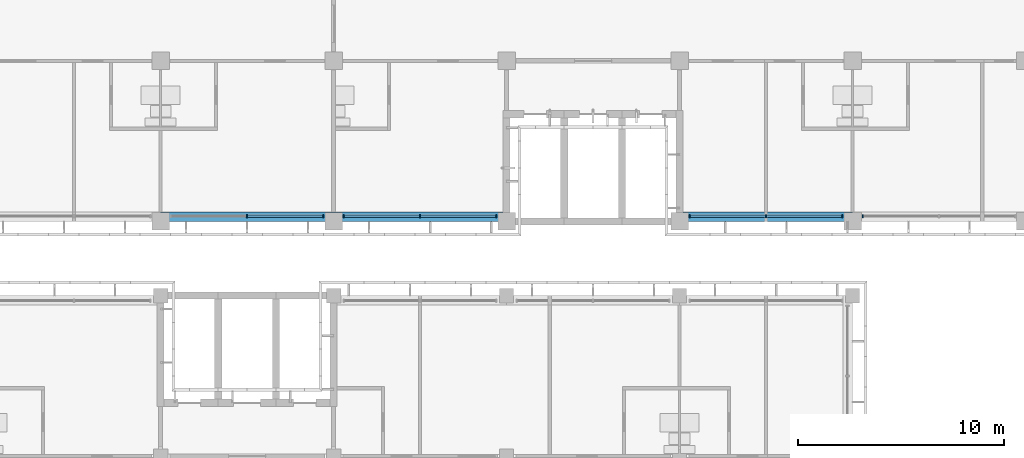
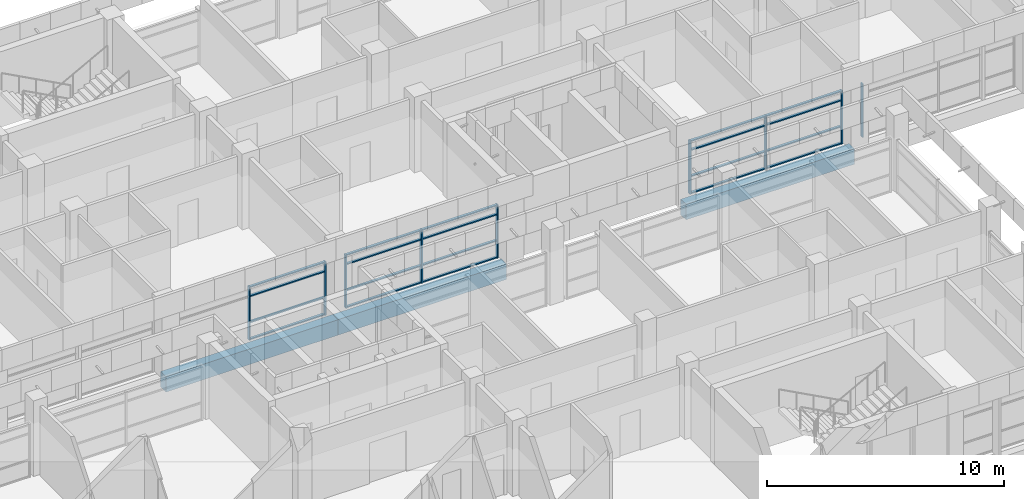
# One storey, part 13 of 74: 29 members, 3 beams, 4 elements without a shape of their own.
"""IFC4 building model written with IfcOpenShell, lengths in metres."""

from ifc_helpers import new_model, si_unit, direction, frame, origin, origin_2d, place, context, subcontext, project, spatial, rectangle, extrude, material, material_profile, profile_set, type_object, element, aggregate, save


model = new_model("IFC4")

# Units and contexts
model_context = context("Model", 3, precision=1e-05, world=origin(), true_north=direction((0.0, 1.0)))
body_context = subcontext(model_context, "Body", "Model", "MODEL_VIEW")
ifc_project = project(units=[si_unit("LENGTHUNIT", "METRE"), si_unit("AREAUNIT", "SQUARE_METRE"), si_unit("VOLUMEUNIT", "CUBIC_METRE"), si_unit("PLANEANGLEUNIT", "RADIAN"), si_unit("MASSUNIT", "GRAM", prefix="KILO")], contexts=[model_context])

# Site, building, storey
site_placement = place(None, origin())
site = spatial("IfcSite", under=ifc_project, at=site_placement, CompositionType="ELEMENT")
building_placement = place(site_placement, origin())
building = spatial("IfcBuilding", under=site, at=building_placement, Name="Bougainvillea Quay General Hospital", CompositionType="ELEMENT")
storey_placement = place(building_placement, frame((0.0, 0.0, 21.0)))
storey = spatial("IfcBuildingStorey", under=building, at=storey_placement, Name="L04", CompositionType="ELEMENT", Elevation=21.0)

# Curtain wall, members
ifc_material_1 = material(Name="Aluminium curtain wall system, powder-coated glazed", Category="aluminium")
curtain_wall_type = type_object("IfcCurtainWallType", Name="Unitised curtain wall CW-3730", PredefinedType="NOTDEFINED", material=ifc_material_1)
curtain_wall_1_placement = place(storey_placement, origin())
curtain_wall_1 = element("IfcCurtainWall", 1, at=curtain_wall_1_placement, inside=storey, type_object=curtain_wall_type, Name="CW-4200 07", PredefinedType="NOTDEFINED")
ifc_material_2 = material(Name="Aluminium mullion, powder-coated charcoal", Category="aluminium")
ifc_material_profile_1 = material_profile(ifc_material_2, rectangle(XDim=0.159912109375, YDim=0.06005859375, at=origin_2d()))
ifc_profile_set_1 = profile_set([ifc_material_profile_1], Name="Aluminium mullion, powder-coated charcoal")
member_type_1 = type_object("IfcMemberType", Name="Curtain wall mullion 160x60", PredefinedType="MULLION", material=ifc_profile_set_1)
member_1_placement = place(storey_placement, frame((138.60009765625, 140.64990234375, 0.0), z_axis=(0.0, 0.0, 1.0), x_axis=(0.0, 1.0, 0.0)))
member_1 = element("IfcMember", 2, at=member_1_placement, type_object=member_type_1, Name="CW-4200 mullion 2", PredefinedType="MULLION", context=body_context, shape_type="SweptSolid", body=[
    extrude(rectangle(XDim=0.159912109375, YDim=0.06005859375, at=origin_2d()), origin(), (0.0, 0.0, 1.0), 2.75),
])
member_2_placement = place(storey_placement, frame((142.300048828125, 140.64990234375, 0.0), z_axis=(0.0, 0.0, 1.0), x_axis=(0.0, 1.0, 0.0)))
member_2 = element("IfcMember", 3, at=member_2_placement, type_object=member_type_1, Name="CW-4200 mullion 3", PredefinedType="MULLION", context=body_context, shape_type="SweptSolid", body=[
    extrude(rectangle(XDim=0.159912109375, YDim=0.06005859375, at=origin_2d()), origin(), (0.0, 0.0, 1.0), 2.75),
])

curtain_wall_2_placement = place(storey_placement, origin())
curtain_wall_2 = element("IfcCurtainWall", 4, at=curtain_wall_2_placement, inside=storey, type_object=curtain_wall_type, Name="CW-4200 08", PredefinedType="NOTDEFINED")
member_3_placement = place(storey_placement, frame((143.300048828125, 140.64990234375, 0.0), z_axis=(0.0, 0.0, 1.0), x_axis=(0.0, 1.0, 0.0)))
member_3 = element("IfcMember", 5, at=member_3_placement, type_object=member_type_1, Name="CW-4200 mullion 1", PredefinedType="MULLION", context=body_context, shape_type="SweptSolid", body=[
    extrude(rectangle(XDim=0.159912109375, YDim=0.06005859375, at=origin_2d()), origin(), (0.0, 0.0, 1.0), 2.75),
])
member_4_placement = place(storey_placement, frame((147.0, 140.64990234375, 0.0), z_axis=(0.0, 0.0, 1.0), x_axis=(0.0, 1.0, 0.0)))
member_4 = element("IfcMember", 6, at=member_4_placement, type_object=member_type_1, Name="CW-4200 mullion 2", PredefinedType="MULLION", context=body_context, shape_type="SweptSolid", body=[
    extrude(rectangle(XDim=0.159912109375, YDim=0.06005859375, at=origin_2d()), origin(), (0.0, 0.0, 1.0), 2.75),
])
member_5_placement = place(storey_placement, frame((150.699951171875, 140.64990234375, 0.0), z_axis=(0.0, 0.0, 1.0), x_axis=(0.0, 1.0, 0.0)))
member_5 = element("IfcMember", 7, at=member_5_placement, type_object=member_type_1, Name="CW-4200 mullion 3", PredefinedType="MULLION", context=body_context, shape_type="SweptSolid", body=[
    extrude(rectangle(XDim=0.159912109375, YDim=0.06005859375, at=origin_2d()), origin(), (0.0, 0.0, 1.0), 2.75),
])

curtain_wall_3_placement = place(storey_placement, origin())
curtain_wall_3 = element("IfcCurtainWall", 8, at=curtain_wall_3_placement, inside=storey, type_object=curtain_wall_type, Name="CW-4200 00", PredefinedType="NOTDEFINED")
member_6_placement = place(storey_placement, frame((160.10009765625, 140.64990234375, 0.0), z_axis=(0.0, 0.0, 1.0), x_axis=(0.0, 1.0, 0.0)))
member_6 = element("IfcMember", 9, at=member_6_placement, type_object=member_type_1, Name="CW-4200 mullion 1", PredefinedType="MULLION", context=body_context, shape_type="SweptSolid", body=[
    extrude(rectangle(XDim=0.159912109375, YDim=0.06005859375, at=origin_2d()), origin(), (0.0, 0.0, 1.0), 2.75),
])
member_7_placement = place(storey_placement, frame((163.800048828125, 140.64990234375, 0.0), z_axis=(0.0, 0.0, 1.0), x_axis=(0.0, 1.0, 0.0)))
member_7 = element("IfcMember", 10, at=member_7_placement, type_object=member_type_1, Name="CW-4200 mullion 2", PredefinedType="MULLION", context=body_context, shape_type="SweptSolid", body=[
    extrude(rectangle(XDim=0.159912109375, YDim=0.06005859375, at=origin_2d()), origin(), (0.0, 0.0, 1.0), 2.75),
])
member_8_placement = place(storey_placement, frame((167.5, 140.64990234375, 0.0), z_axis=(0.0, 0.0, 1.0), x_axis=(0.0, 1.0, 0.0)))
member_8 = element("IfcMember", 11, at=member_8_placement, type_object=member_type_1, Name="CW-4200 mullion 3", PredefinedType="MULLION", context=body_context, shape_type="SweptSolid", body=[
    extrude(rectangle(XDim=0.159912109375, YDim=0.06005859375, at=origin_2d()), origin(), (0.0, 0.0, 1.0), 2.75),
])

# Curtain wall, member
curtain_wall_4_placement = place(storey_placement, origin())
curtain_wall_4 = element("IfcCurtainWall", 12, at=curtain_wall_4_placement, inside=storey, type_object=curtain_wall_type, Name="CW-4200 01", PredefinedType="NOTDEFINED")
member_9_placement = place(storey_placement, frame((168.5, 140.64990234375, 0.0), z_axis=(0.0, 0.0, 1.0), x_axis=(0.0, 1.0, 0.0)))
member_9 = element("IfcMember", 13, at=member_9_placement, type_object=member_type_1, Name="CW-4200 mullion 1", PredefinedType="MULLION", context=body_context, shape_type="SweptSolid", body=[
    extrude(rectangle(XDim=0.159912109375, YDim=0.06005859375, at=origin_2d()), origin(), (0.0, 0.0, 1.0), 2.75),
])
aggregate(curtain_wall_4, [member_9])

# Member
ifc_material_3 = material(Name="Aluminium transom, powder-coated charcoal", Category="aluminium")
ifc_material_profile_2 = material_profile(ifc_material_3, rectangle(XDim=0.1201171875, YDim=0.06005859375, at=origin_2d()))
ifc_profile_set_2 = profile_set([ifc_material_profile_2], Name="Aluminium transom, powder-coated charcoal")
member_type_2 = type_object("IfcMemberType", Name="Curtain wall transom 120x60", PredefinedType="USERDEFINED", material=ifc_profile_set_2)
member_10_placement = place(storey_placement, frame((138.6298828125, 140.64990234375, 0.030029296875), z_axis=(1.0, 0.0, 0.0), x_axis=(0.0, 1.0, 0.0)))
member_10 = element("IfcMember", 14, at=member_10_placement, type_object=member_type_2, Name="CW-4200 transom 2.1", ObjectType="TRANSOM", PredefinedType="USERDEFINED", context=body_context, shape_type="SweptSolid", body=[
    extrude(rectangle(XDim=0.1201171875, YDim=0.06005859375, at=origin_2d()), origin(), (0.0, 0.0, 1.0), 3.64013671875),
])

member_11_placement = place(storey_placement, frame((138.6298828125, 140.64990234375, 0.89990234375), z_axis=(1.0, 0.0, 0.0), x_axis=(0.0, 1.0, 0.0)))
member_11 = element("IfcMember", 15, at=member_11_placement, type_object=member_type_2, Name="CW-4200 transom 2.2", ObjectType="TRANSOM", PredefinedType="USERDEFINED", context=body_context, shape_type="SweptSolid", body=[
    extrude(rectangle(XDim=0.1201171875, YDim=0.06005859375, at=origin_2d()), origin(), (0.0, 0.0, 1.0), 3.64013671875),
])

member_12_placement = place(storey_placement, frame((138.6298828125, 140.64990234375, 2.25), z_axis=(1.0, 0.0, 0.0), x_axis=(0.0, 1.0, 0.0)))
member_12 = element("IfcMember", 16, at=member_12_placement, type_object=member_type_2, Name="CW-4200 transom 2.3", ObjectType="TRANSOM", PredefinedType="USERDEFINED", context=body_context, shape_type="SweptSolid", body=[
    extrude(rectangle(XDim=0.1201171875, YDim=0.06005859375, at=origin_2d()), origin(), (0.0, 0.0, 1.0), 3.64013671875),
])

member_13_placement = place(storey_placement, frame((138.6298828125, 140.64990234375, 2.719970703125), z_axis=(1.0, 0.0, 0.0), x_axis=(0.0, 1.0, 0.0)))
member_13 = element("IfcMember", 17, at=member_13_placement, type_object=member_type_2, Name="CW-4200 transom 2.4", ObjectType="TRANSOM", PredefinedType="USERDEFINED", context=body_context, shape_type="SweptSolid", body=[
    extrude(rectangle(XDim=0.1201171875, YDim=0.06005859375, at=origin_2d()), origin(), (0.0, 0.0, 1.0), 3.64013671875),
])

aggregate(curtain_wall_1, [member_1, member_2, member_10, member_11, member_12, member_13])

member_14_placement = place(storey_placement, frame((143.330078125, 140.64990234375, 0.030029296875), z_axis=(1.0, 0.0, 0.0), x_axis=(0.0, 1.0, 0.0)))
member_14 = element("IfcMember", 18, at=member_14_placement, type_object=member_type_2, Name="CW-4200 transom 1.1", ObjectType="TRANSOM", PredefinedType="USERDEFINED", context=body_context, shape_type="SweptSolid", body=[
    extrude(rectangle(XDim=0.1201171875, YDim=0.06005859375, at=origin_2d()), origin(), (0.0, 0.0, 1.0), 3.639892578125),
])

member_15_placement = place(storey_placement, frame((143.330078125, 140.64990234375, 0.89990234375), z_axis=(1.0, 0.0, 0.0), x_axis=(0.0, 1.0, 0.0)))
member_15 = element("IfcMember", 19, at=member_15_placement, type_object=member_type_2, Name="CW-4200 transom 1.2", ObjectType="TRANSOM", PredefinedType="USERDEFINED", context=body_context, shape_type="SweptSolid", body=[
    extrude(rectangle(XDim=0.1201171875, YDim=0.06005859375, at=origin_2d()), origin(), (0.0, 0.0, 1.0), 3.639892578125),
])

member_16_placement = place(storey_placement, frame((143.330078125, 140.64990234375, 2.25), z_axis=(1.0, 0.0, 0.0), x_axis=(0.0, 1.0, 0.0)))
member_16 = element("IfcMember", 20, at=member_16_placement, type_object=member_type_2, Name="CW-4200 transom 1.3", ObjectType="TRANSOM", PredefinedType="USERDEFINED", context=body_context, shape_type="SweptSolid", body=[
    extrude(rectangle(XDim=0.1201171875, YDim=0.06005859375, at=origin_2d()), origin(), (0.0, 0.0, 1.0), 3.639892578125),
])

member_17_placement = place(storey_placement, frame((143.330078125, 140.64990234375, 2.719970703125), z_axis=(1.0, 0.0, 0.0), x_axis=(0.0, 1.0, 0.0)))
member_17 = element("IfcMember", 21, at=member_17_placement, type_object=member_type_2, Name="CW-4200 transom 1.4", ObjectType="TRANSOM", PredefinedType="USERDEFINED", context=body_context, shape_type="SweptSolid", body=[
    extrude(rectangle(XDim=0.1201171875, YDim=0.06005859375, at=origin_2d()), origin(), (0.0, 0.0, 1.0), 3.639892578125),
])

member_18_placement = place(storey_placement, frame((147.030029296875, 140.64990234375, 0.030029296875), z_axis=(1.0, 0.0, 0.0), x_axis=(0.0, 1.0, 0.0)))
member_18 = element("IfcMember", 22, at=member_18_placement, type_object=member_type_2, Name="CW-4200 transom 2.1", ObjectType="TRANSOM", PredefinedType="USERDEFINED", context=body_context, shape_type="SweptSolid", body=[
    extrude(rectangle(XDim=0.1201171875, YDim=0.06005859375, at=origin_2d()), origin(), (0.0, 0.0, 1.0), 3.639892578125),
])

member_19_placement = place(storey_placement, frame((147.030029296875, 140.64990234375, 0.89990234375), z_axis=(1.0, 0.0, 0.0), x_axis=(0.0, 1.0, 0.0)))
member_19 = element("IfcMember", 23, at=member_19_placement, type_object=member_type_2, Name="CW-4200 transom 2.2", ObjectType="TRANSOM", PredefinedType="USERDEFINED", context=body_context, shape_type="SweptSolid", body=[
    extrude(rectangle(XDim=0.1201171875, YDim=0.06005859375, at=origin_2d()), origin(), (0.0, 0.0, 1.0), 3.639892578125),
])

member_20_placement = place(storey_placement, frame((147.030029296875, 140.64990234375, 2.25), z_axis=(1.0, 0.0, 0.0), x_axis=(0.0, 1.0, 0.0)))
member_20 = element("IfcMember", 24, at=member_20_placement, type_object=member_type_2, Name="CW-4200 transom 2.3", ObjectType="TRANSOM", PredefinedType="USERDEFINED", context=body_context, shape_type="SweptSolid", body=[
    extrude(rectangle(XDim=0.1201171875, YDim=0.06005859375, at=origin_2d()), origin(), (0.0, 0.0, 1.0), 3.639892578125),
])

member_21_placement = place(storey_placement, frame((147.030029296875, 140.64990234375, 2.719970703125), z_axis=(1.0, 0.0, 0.0), x_axis=(0.0, 1.0, 0.0)))
member_21 = element("IfcMember", 25, at=member_21_placement, type_object=member_type_2, Name="CW-4200 transom 2.4", ObjectType="TRANSOM", PredefinedType="USERDEFINED", context=body_context, shape_type="SweptSolid", body=[
    extrude(rectangle(XDim=0.1201171875, YDim=0.06005859375, at=origin_2d()), origin(), (0.0, 0.0, 1.0), 3.639892578125),
])

aggregate(curtain_wall_2, [member_3, member_4, member_5, member_14, member_15, member_16, member_17, member_18, member_19, member_20, member_21])

member_22_placement = place(storey_placement, frame((160.1298828125, 140.64990234375, 0.030029296875), z_axis=(1.0, 0.0, 0.0), x_axis=(0.0, 1.0, 0.0)))
member_22 = element("IfcMember", 26, at=member_22_placement, type_object=member_type_2, Name="CW-4200 transom 1.1", ObjectType="TRANSOM", PredefinedType="USERDEFINED", context=body_context, shape_type="SweptSolid", body=[
    extrude(rectangle(XDim=0.1201171875, YDim=0.06005859375, at=origin_2d()), origin(), (0.0, 0.0, 1.0), 3.64013671875),
])

member_23_placement = place(storey_placement, frame((160.1298828125, 140.64990234375, 0.89990234375), z_axis=(1.0, 0.0, 0.0), x_axis=(0.0, 1.0, 0.0)))
member_23 = element("IfcMember", 27, at=member_23_placement, type_object=member_type_2, Name="CW-4200 transom 1.2", ObjectType="TRANSOM", PredefinedType="USERDEFINED", context=body_context, shape_type="SweptSolid", body=[
    extrude(rectangle(XDim=0.1201171875, YDim=0.06005859375, at=origin_2d()), origin(), (0.0, 0.0, 1.0), 3.64013671875),
])

member_24_placement = place(storey_placement, frame((160.1298828125, 140.64990234375, 2.25), z_axis=(1.0, 0.0, 0.0), x_axis=(0.0, 1.0, 0.0)))
member_24 = element("IfcMember", 28, at=member_24_placement, type_object=member_type_2, Name="CW-4200 transom 1.3", ObjectType="TRANSOM", PredefinedType="USERDEFINED", context=body_context, shape_type="SweptSolid", body=[
    extrude(rectangle(XDim=0.1201171875, YDim=0.06005859375, at=origin_2d()), origin(), (0.0, 0.0, 1.0), 3.64013671875),
])

member_25_placement = place(storey_placement, frame((160.1298828125, 140.64990234375, 2.719970703125), z_axis=(1.0, 0.0, 0.0), x_axis=(0.0, 1.0, 0.0)))
member_25 = element("IfcMember", 29, at=member_25_placement, type_object=member_type_2, Name="CW-4200 transom 1.4", ObjectType="TRANSOM", PredefinedType="USERDEFINED", context=body_context, shape_type="SweptSolid", body=[
    extrude(rectangle(XDim=0.1201171875, YDim=0.06005859375, at=origin_2d()), origin(), (0.0, 0.0, 1.0), 3.64013671875),
])

member_26_placement = place(storey_placement, frame((163.830078125, 140.64990234375, 0.030029296875), z_axis=(1.0, 0.0, 0.0), x_axis=(0.0, 1.0, 0.0)))
member_26 = element("IfcMember", 30, at=member_26_placement, type_object=member_type_2, Name="CW-4200 transom 2.1", ObjectType="TRANSOM", PredefinedType="USERDEFINED", context=body_context, shape_type="SweptSolid", body=[
    extrude(rectangle(XDim=0.1201171875, YDim=0.06005859375, at=origin_2d()), origin(), (0.0, 0.0, 1.0), 3.639892578125),
])

member_27_placement = place(storey_placement, frame((163.830078125, 140.64990234375, 0.89990234375), z_axis=(1.0, 0.0, 0.0), x_axis=(0.0, 1.0, 0.0)))
member_27 = element("IfcMember", 31, at=member_27_placement, type_object=member_type_2, Name="CW-4200 transom 2.2", ObjectType="TRANSOM", PredefinedType="USERDEFINED", context=body_context, shape_type="SweptSolid", body=[
    extrude(rectangle(XDim=0.1201171875, YDim=0.06005859375, at=origin_2d()), origin(), (0.0, 0.0, 1.0), 3.639892578125),
])

member_28_placement = place(storey_placement, frame((163.830078125, 140.64990234375, 2.25), z_axis=(1.0, 0.0, 0.0), x_axis=(0.0, 1.0, 0.0)))
member_28 = element("IfcMember", 32, at=member_28_placement, type_object=member_type_2, Name="CW-4200 transom 2.3", ObjectType="TRANSOM", PredefinedType="USERDEFINED", context=body_context, shape_type="SweptSolid", body=[
    extrude(rectangle(XDim=0.1201171875, YDim=0.06005859375, at=origin_2d()), origin(), (0.0, 0.0, 1.0), 3.639892578125),
])

member_29_placement = place(storey_placement, frame((163.830078125, 140.64990234375, 2.719970703125), z_axis=(1.0, 0.0, 0.0), x_axis=(0.0, 1.0, 0.0)))
member_29 = element("IfcMember", 33, at=member_29_placement, type_object=member_type_2, Name="CW-4200 transom 2.4", ObjectType="TRANSOM", PredefinedType="USERDEFINED", context=body_context, shape_type="SweptSolid", body=[
    extrude(rectangle(XDim=0.1201171875, YDim=0.06005859375, at=origin_2d()), origin(), (0.0, 0.0, 1.0), 3.639892578125),
])

aggregate(curtain_wall_3, [member_6, member_7, member_8, member_22, member_23, member_24, member_25, member_26, member_27, member_28, member_29])

# Beams
ifc_material_4 = material(Name="Concrete C40", Category="concrete")
ifc_material_profile_3 = material_profile(ifc_material_4, rectangle(XDim=0.449951171875, YDim=0.800048828125, at=origin_2d()))
ifc_profile_set_3 = profile_set([ifc_material_profile_3], Name="Concrete C40")
beam_type = type_object("IfcBeamType", Name="RC BEAM 450x800 C40", PredefinedType="BEAM", material=ifc_profile_set_3)
beam_1_placement = place(storey_placement, frame((134.39990234375, 140.625, -0.699951171875), z_axis=(1.0, 0.0, 0.0), x_axis=(0.0, 1.0, 0.0)))
element("IfcBeam", 34, at=beam_1_placement, inside=storey, type_object=beam_type, Name="Edge beam L04", PredefinedType="BEAM", context=body_context, shape_type="SweptSolid", body=[
    extrude(rectangle(XDim=0.449951171875, YDim=0.800048828125, at=origin_2d()), origin(), (0.0, 0.0, 1.0), 8.400146484375),
])
beam_2_placement = place(storey_placement, frame((142.800048828125, 140.625, -0.699951171875), z_axis=(1.0, 0.0, 0.0), x_axis=(0.0, 1.0, 0.0)))
element("IfcBeam", 35, at=beam_2_placement, inside=storey, type_object=beam_type, Name="Edge beam L04", PredefinedType="BEAM", context=body_context, shape_type="SweptSolid", body=[
    extrude(rectangle(XDim=0.449951171875, YDim=0.800048828125, at=origin_2d()), origin(), (0.0, 0.0, 1.0), 8.224853515625),
])
beam_3_placement = place(storey_placement, frame((159.77490234375, 140.625, -0.699951171875), z_axis=(1.0, 0.0, 0.0), x_axis=(0.0, 1.0, 0.0)))
element("IfcBeam", 36, at=beam_3_placement, inside=storey, type_object=beam_type, Name="Edge beam L04", PredefinedType="BEAM", context=body_context, shape_type="SweptSolid", body=[
    extrude(rectangle(XDim=0.449951171875, YDim=0.800048828125, at=origin_2d()), origin(), (0.0, 0.0, 1.0), 8.22509765625),
])

save(model, "model.ifc")
